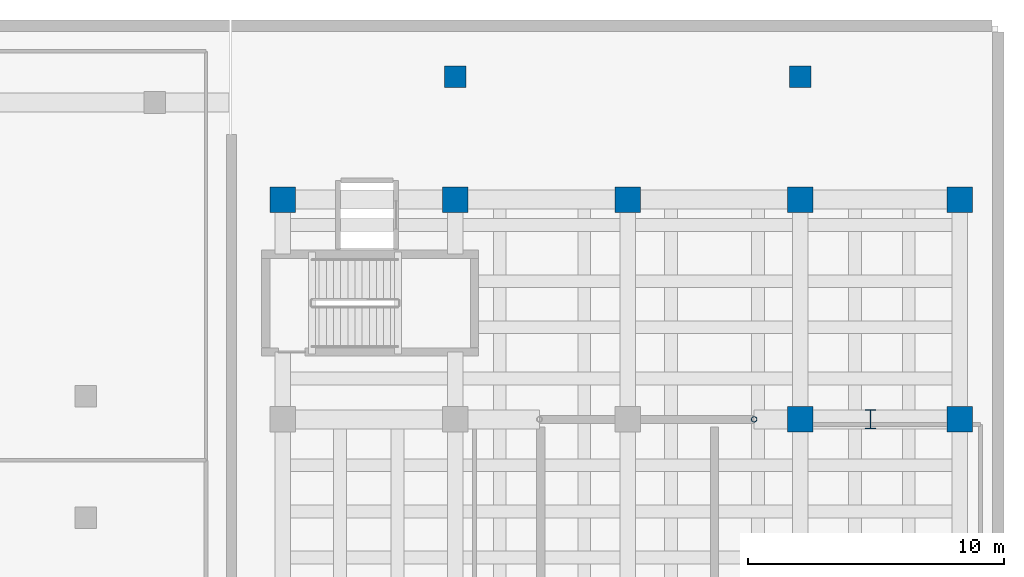
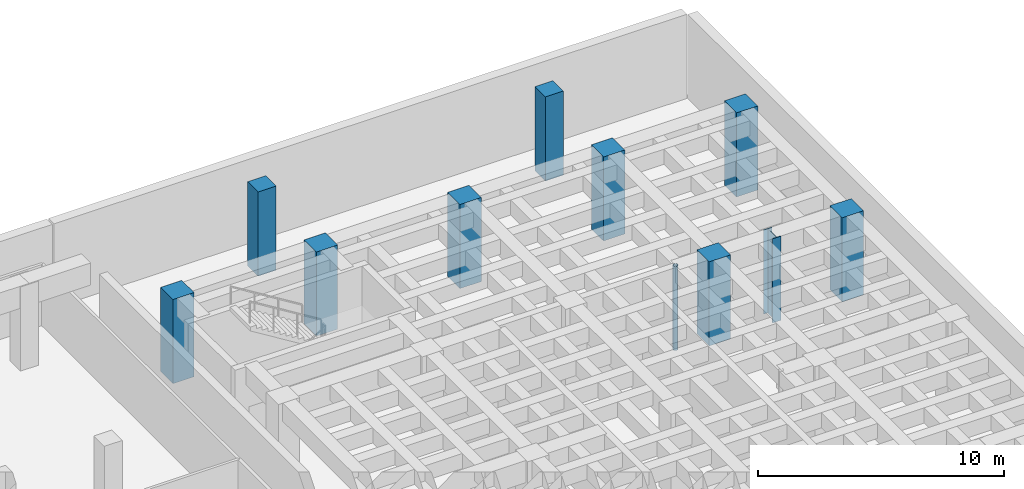
# One storey, part 4 of 13: 11 columns.
"""IFC4 building model written with IfcOpenShell, lengths in metres."""

from ifc_helpers import new_model, si_unit, direction, frame, origin, origin_2d, place, context, subcontext, project, spatial, rectangle, hollow_circle, i_section, extrude, material, material_profile, profile_set, type_object, element, save


model = new_model("IFC4")

# Units and contexts
model_context = context("Model", 3, precision=1e-05, world=origin(), true_north=direction((0.0, 1.0)))
body_context = subcontext(model_context, "Body", "Model", "MODEL_VIEW")
ifc_project = project(units=[si_unit("LENGTHUNIT", "METRE"), si_unit("AREAUNIT", "SQUARE_METRE"), si_unit("VOLUMEUNIT", "CUBIC_METRE"), si_unit("PLANEANGLEUNIT", "RADIAN"), si_unit("MASSUNIT", "GRAM", prefix="KILO")], contexts=[model_context])

# Site, building, storey
site_placement = place(None, origin())
site = spatial("IfcSite", under=ifc_project, at=site_placement, CompositionType="ELEMENT")
building_placement = place(site_placement, origin())
building = spatial("IfcBuilding", under=site, at=building_placement, Name="Korentha Bioscience Tower", CompositionType="ELEMENT")
storey_placement = place(building_placement, frame((0.0, 0.0, -4.5)))
storey = spatial("IfcBuildingStorey", under=building, at=storey_placement, Name="B1", CompositionType="ELEMENT", Elevation=-4.5)

# Columns
ifc_material_1 = material(Name="Concrete C65", Category="concrete")
ifc_material_profile_1 = material_profile(ifc_material_1, rectangle(XDim=0.85009765625, YDim=0.85009765625, at=origin_2d()), Name="Concrete C65")
ifc_profile_set_1 = profile_set([ifc_material_profile_1], Name="Concrete C65 (BC-01)")
column_type_1 = type_object("IfcColumnType", Name="Basement Car Park Column RC 850x850", PredefinedType="COLUMN", material=ifc_profile_set_1)
for number, where, z_axis, x_axis, name in (
    (1, (73.25, 49.0, 0.0), (0.0, 0.0, 1.0), (1.0, 0.0, 0.0), "B1 Car Park Column BC-15"),
    (2, (86.75, 49.0, 0.0), (0.0, 0.0, 1.0), (1.0, 0.0, 0.0), "B1 Car Park Column BC-16"),
):
    element("IfcColumn", number, at=place(storey_placement, frame(where, z_axis=z_axis, x_axis=x_axis)), inside=storey, type_object=column_type_1, Name=name, PredefinedType="COLUMN", context=body_context, shape_type="SweptSolid", body=[
        extrude(rectangle(XDim=0.85009765625, YDim=0.85009765625, at=origin_2d()), origin(), (0.0, 0.0, 1.0), 4.179931640625),
    ])
ifc_material_2 = material(Name="Steel S355", Category="steel")
ifc_material_profile_2 = material_profile(ifc_material_2, i_section(OverallWidth=0.39990234375, OverallDepth=0.75, WebThickness=0.01611328125, FlangeThickness=0.028076171875, at=origin_2d()), Name="Steel S355")
ifc_profile_set_2 = profile_set([ifc_material_profile_2], Name="Steel S355 (TC-02)")
column_type_2 = type_object("IfcColumnType", Name="Theatre Fly-Tower Column CVS 750x256", PredefinedType="COLUMN", material=ifc_profile_set_2)
column_1_placement = place(storey_placement, frame((89.5, 35.60009765625, 0.0), z_axis=(0.0, 0.0, 1.0), x_axis=(1.0, 0.0, 0.0)))
element("IfcColumn", 3, at=column_1_placement, inside=storey, type_object=column_type_2, Name="B1 Fly-Tower Steel Column N", PredefinedType="COLUMN", context=body_context, shape_type="SweptSolid", body=[
    extrude(i_section(OverallWidth=0.39990234375, OverallDepth=0.75, WebThickness=0.01611328125, FlangeThickness=0.028076171875, at=origin_2d()), origin(), (0.0, 0.0, 1.0), 4.179931640625),
])
ifc_material_3 = material(Name="Concrete C50", Category="concrete")
ifc_material_profile_3 = material_profile(ifc_material_3, rectangle(XDim=1.0, YDim=1.0, at=origin_2d()), Name="Concrete C50")
ifc_profile_set_3 = profile_set([ifc_material_profile_3], Name="Concrete C50 (TC-I01)")
column_type_3 = type_object("IfcColumnType", Name="Theatre Interior Column RC 1000x1000", PredefinedType="COLUMN", material=ifc_profile_set_3)
for number, where, z_axis, x_axis, name in (
    (4, (66.5, 44.199951171875, 0.0), (0.0, 0.0, 1.0), (1.0, 0.0, 0.0), "B1 Theatre Foundation Column 1-5"),
    (5, (73.25, 44.199951171875, 0.0), (0.0, 0.0, 1.0), (1.0, 0.0, 0.0), "B1 Theatre Foundation Column 2-5"),
    (6, (80.0, 44.199951171875, 0.0), (0.0, 0.0, 1.0), (1.0, 0.0, 0.0), "B1 Theatre Foundation Column 3-5"),
    (7, (86.75, 35.60009765625, 0.0), (0.0, 0.0, 1.0), (1.0, 0.0, 0.0), "B1 Theatre Foundation Column 4-4"),
    (8, (86.75, 44.199951171875, 0.0), (0.0, 0.0, 1.0), (1.0, 0.0, 0.0), "B1 Theatre Foundation Column 4-5"),
    (9, (93.0, 35.60009765625, 0.0), (0.0, 0.0, 1.0), (1.0, 0.0, 0.0), "B1 Theatre Foundation Column 5-4"),
    (10, (93.0, 44.199951171875, 0.0), (0.0, 0.0, 1.0), (1.0, 0.0, 0.0), "B1 Theatre Foundation Column 5-5"),
):
    element("IfcColumn", number, at=place(storey_placement, frame(where, z_axis=z_axis, x_axis=x_axis)), inside=storey, type_object=column_type_3, Name=name, PredefinedType="COLUMN", context=body_context, shape_type="SweptSolid", body=[
        extrude(rectangle(XDim=1.0, YDim=1.0, at=origin_2d()), origin(), (0.0, 0.0, 1.0), 4.179931640625),
    ])
ifc_material_profile_4 = material_profile(ifc_material_2, hollow_circle(Radius=0.109619140625, WallThickness=0.012451171875, at=origin_2d()), Name="Steel S355")
ifc_profile_set_4 = profile_set([ifc_material_profile_4], Name="Steel S355 (TC-P219)")
column_type_4 = type_object("IfcColumnType", Name="Theatre Tier Support Post CHS 219.1x12.5", PredefinedType="COLUMN", material=ifc_profile_set_4)
column_2_placement = place(storey_placement, frame((84.949951171875, 35.60009765625, 0.0), z_axis=(0.0, 0.0, 1.0), x_axis=(1.0, 0.0, 0.0)))
element("IfcColumn", 11, at=column_2_placement, inside=storey, type_object=column_type_4, Name="B1 Auditorium Raker Support Column E-35", PredefinedType="COLUMN", context=body_context, shape_type="SweptSolid", body=[
    extrude(hollow_circle(Radius=0.109619140625, WallThickness=0.012451171875, at=origin_2d()), origin(), (0.0, 0.0, 1.0), 4.179931640625),
])

save(model, "model.ifc")
